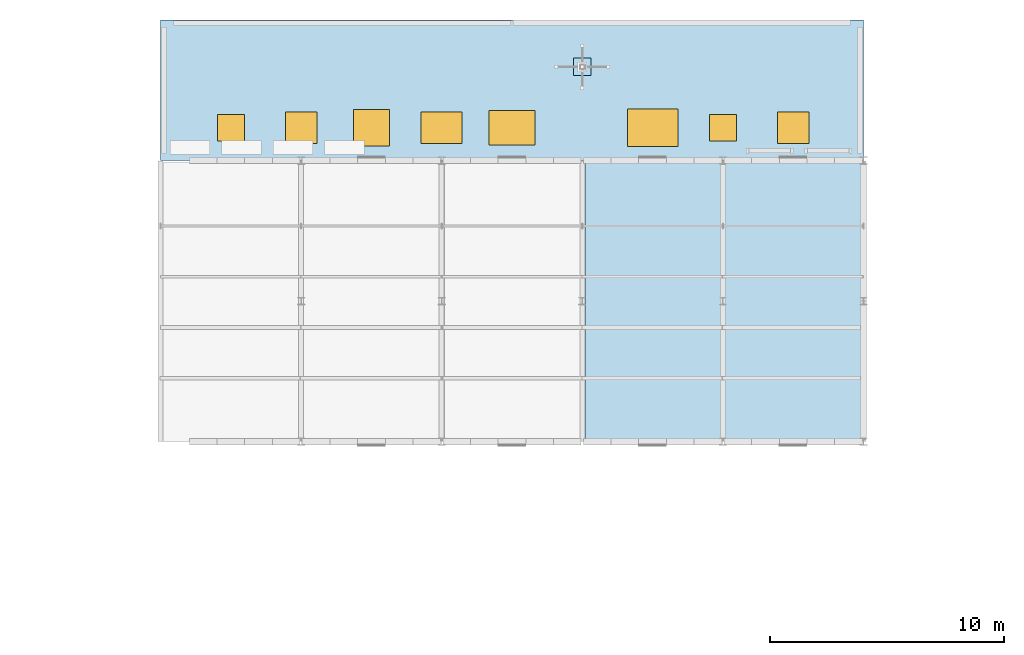
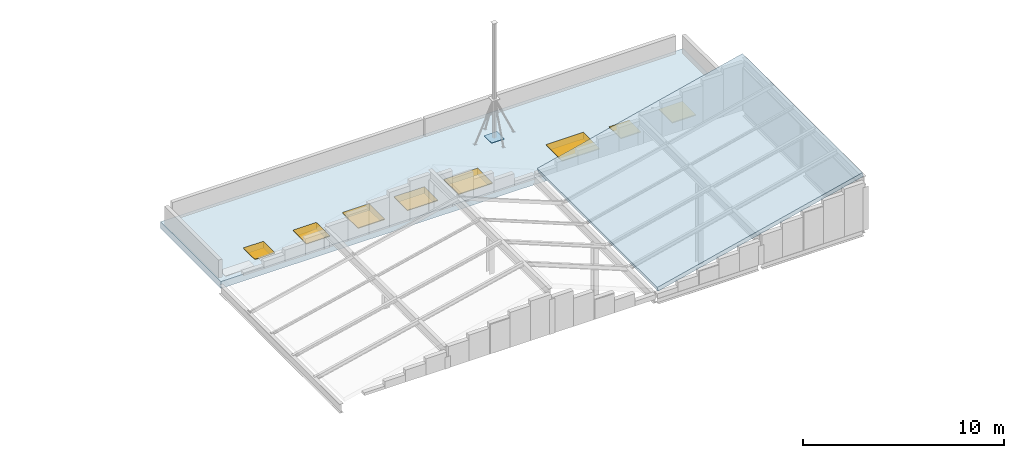
"""IFC4 building model written with IfcOpenShell, lengths in metres."""

from ifc_helpers import new_model, si_unit, direction, frame, origin, origin_2d, place, context, subcontext, project, spatial, polyline, rectangle, outline, extrude, material, layer, layer_set, type_object, element, fill, save


model = new_model("IFC4")

# Units and contexts
model_context = context("Model", 3, precision=1e-05, world=origin(), true_north=direction((0.0, 1.0)))
body_context = subcontext(model_context, "Body", "Model", "MODEL_VIEW")
ifc_project = project(units=[si_unit("LENGTHUNIT", "METRE"), si_unit("AREAUNIT", "SQUARE_METRE"), si_unit("VOLUMEUNIT", "CUBIC_METRE"), si_unit("PLANEANGLEUNIT", "RADIAN"), si_unit("MASSUNIT", "GRAM", prefix="KILO")], contexts=[model_context])

# Site, building, storey
site_placement = place(None, origin())
site = spatial("IfcSite", under=ifc_project, at=site_placement, CompositionType="ELEMENT")
building_placement = place(site_placement, origin())
building = spatial("IfcBuilding", under=site, at=building_placement, Name="Siltcreek Boulevard Central Fire Station", CompositionType="ELEMENT")
storey_1_placement = place(building_placement, frame((0.0, 0.0, 25.199951171875)))
storey_1 = spatial("IfcBuildingStorey", under=building, at=storey_1_placement, Name="RF", CompositionType="ELEMENT", Elevation=25.199951171875)

# Plate
ifc_material_1 = material(Name="Structural steel ASTM A572 Gr50", Category="steel")
ifc_layer_1 = layer(ifc_material_1, 0.0400390625, Name="Structural steel ASTM A572 Gr50")
ifc_layer_set_1 = layer_set([ifc_layer_1], Name="Structural steel ASTM A572 Gr50")
plate_type = type_object("IfcPlateType", Name="PL_GUS40", PredefinedType="USERDEFINED", material=ifc_layer_set_1)
plate_placement = place(storey_1_placement, frame((142.199951171875, 110.199951171875, -3.599853515625), z_axis=(0.0, 0.0, 1.0), x_axis=(1.0, 0.0, 0.0)))
element("IfcPlate", 1, at=plate_placement, inside=storey_1, type_object=plate_type, Name="Roof communications mast MB1 base plate", ObjectType="GUSSET PLATE", PredefinedType="USERDEFINED", context=body_context, shape_type="SweptSolid", body=[
    extrude(rectangle(XDim=0.75, YDim=0.75, at=origin_2d()), origin(), (0.0, 0.0, 1.0), 0.0400390625),
])

# Slab
ifc_material_2 = material(Name="White ribbed aluminum insulated roof deck Steel A653 Gr50", Category="steel")
ifc_layer_2 = layer(ifc_material_2, 0.25, Name="White ribbed aluminum insulated roof deck Steel A653 Gr50")
ifc_layer_set_2 = layer_set([ifc_layer_2], Name="White ribbed aluminum insulated roof deck Steel A653 Gr50")
slab_type_1 = type_object("IfcSlabType", Name="SL_ROOF250", PredefinedType="ROOF", material=ifc_layer_set_2)
slab_1_placement = place(storey_1_placement, frame((142.31005859375, 94.199951171875, -3.0234375), z_axis=(-0.234910965128, 0.0, 0.972016892067), x_axis=(0.972016892067, 0.0, 0.234910965128)))
element("IfcSlab", 2, at=slab_1_placement, inside=storey_1, type_object=slab_type_1, Name="Pitched standing-seam roof deck slab RF-V5E", PredefinedType="ROOF", context=body_context, shape_type="SweptSolid", body=[
    extrude(outline(polyline([(0.0, 0.0), (12.119161089711582, 0.0), (12.119161089711582, 11.920166015625002), (0.0, 11.920166015625002), (0.0, 0.0)])), origin(), (0.0, 0.0, -1.0), 0.25),
])

# Slab, openings
ifc_material_3 = material(Name="Concrete C35/45", Category="concrete")
ifc_layer_3 = layer(ifc_material_3, 0.419921875, Name="Concrete C35/45")
ifc_layer_set_3 = layer_set([ifc_layer_3], Name="Concrete C35/45")
slab_type_2 = type_object("IfcSlabType", Name="SL_ROOF420", PredefinedType="ROOF", material=ifc_layer_set_3)
slab_2_placement = place(storey_1_placement, frame((0.0, 0.0, -4.02001953125)))
slab_2 = element("IfcSlab", 3, at=slab_2_placement, inside=storey_1, type_object=slab_type_2, Name="Headquarters roof overrun curb slab RF-CB3", PredefinedType="ROOF", context=body_context, shape_type="SweptSolid", body=[
    extrude(outline(polyline([(124.199951171875, 106.199951171875), (154.199951171875, 106.199951171875), (154.199951171875, 112.199951171875), (124.199951171875, 112.199951171875), (124.199951171875, 106.199951171875)])), origin(), (0.0, 0.0, 1.0), 0.420166015625),
])
opening_1_placement = place(slab_2_placement, frame((127.199951171875, 107.60009765625, -0.010009765625)))
opening_1 = element("IfcOpeningElement", 4, at=opening_1_placement, cuts=slab_2, Name="Opening SK-01", PredefinedType="OPENING", context=body_context, shape_type="SweptSolid", body=[
    extrude(rectangle(XDim=1.14990234375, YDim=1.14990234375, at=origin_2d()), origin(), (0.0, 0.0, 1.0), 0.440185546875),
])
opening_2_placement = place(slab_2_placement, frame((130.199951171875, 107.60009765625, -0.010009765625)))
opening_2 = element("IfcOpeningElement", 5, at=opening_2_placement, cuts=slab_2, Name="Opening SK-02", PredefinedType="OPENING", context=body_context, shape_type="SweptSolid", body=[
    extrude(rectangle(XDim=1.35009765625, YDim=1.35009765625, at=origin_2d()), origin(), (0.0, 0.0, 1.0), 0.440185546875),
])
opening_3_placement = place(slab_2_placement, frame((133.199951171875, 107.60009765625, -0.010009765625)))
opening_3 = element("IfcOpeningElement", 6, at=opening_3_placement, cuts=slab_2, Name="Opening SK-03", PredefinedType="OPENING", context=body_context, shape_type="SweptSolid", body=[
    extrude(rectangle(XDim=1.550048828125, YDim=1.550048828125, at=origin_2d()), origin(), (0.0, 0.0, 1.0), 0.440185546875),
])
opening_4_placement = place(slab_2_placement, frame((136.199951171875, 107.60009765625, -0.010009765625)))
opening_4 = element("IfcOpeningElement", 7, at=opening_4_placement, cuts=slab_2, Name="Opening SK-04", PredefinedType="OPENING", context=body_context, shape_type="SweptSolid", body=[
    extrude(rectangle(XDim=1.75, YDim=1.35009765625, at=origin_2d()), origin(), (0.0, 0.0, 1.0), 0.440185546875),
])
opening_5_placement = place(slab_2_placement, frame((139.199951171875, 107.60009765625, -0.010009765625)))
opening_5 = element("IfcOpeningElement", 8, at=opening_5_placement, cuts=slab_2, Name="Opening SK-05", PredefinedType="OPENING", context=body_context, shape_type="SweptSolid", body=[
    extrude(rectangle(XDim=1.949951171875, YDim=1.47998046875, at=origin_2d()), origin(), (0.0, 0.0, 1.0), 0.440185546875),
])
opening_6_placement = place(slab_2_placement, frame((145.199951171875, 107.60009765625, -0.010009765625)))
opening_6 = element("IfcOpeningElement", 9, at=opening_6_placement, cuts=slab_2, Name="Opening SK-06", PredefinedType="OPENING", context=body_context, shape_type="SweptSolid", body=[
    extrude(rectangle(XDim=2.14990234375, YDim=1.6201171875, at=origin_2d()), origin(), (0.0, 0.0, 1.0), 0.440185546875),
])
opening_7_placement = place(slab_2_placement, frame((148.199951171875, 107.60009765625, -0.010009765625)))
opening_7 = element("IfcOpeningElement", 10, at=opening_7_placement, cuts=slab_2, Name="Opening SK-07", PredefinedType="OPENING", context=body_context, shape_type="SweptSolid", body=[
    extrude(rectangle(XDim=1.14990234375, YDim=1.14990234375, at=origin_2d()), origin(), (0.0, 0.0, 1.0), 0.440185546875),
])
opening_8_placement = place(slab_2_placement, frame((151.199951171875, 107.60009765625, -0.010009765625)))
opening_8 = element("IfcOpeningElement", 11, at=opening_8_placement, cuts=slab_2, Name="Opening SK-08", PredefinedType="OPENING", context=body_context, shape_type="SweptSolid", body=[
    extrude(rectangle(XDim=1.35009765625, YDim=1.35009765625, at=origin_2d()), origin(), (0.0, 0.0, 1.0), 0.440185546875),
])

# Storey
storey_2_placement = place(building_placement, frame((0.0, 0.0, 18.0)))
storey_2 = spatial("IfcBuildingStorey", under=building, at=storey_2_placement, Name="L05", CompositionType="ELEMENT", Elevation=18.0)

# Window
ifc_material_4 = material(Name="Thermally broken aluminum frame with low-E insulated glass", Category="aluminium")
window_type_1 = type_object("IfcWindowType", Name="SK_115X115", PartitioningType="SINGLE_PANEL", PredefinedType="SKYLIGHT", material=ifc_material_4)
window_1_placement = place(opening_1_placement, frame((0.0, 0.0, 0.3701171875)))
window_1 = element("IfcWindow", 12, at=window_1_placement, inside=storey_2, type_object=window_type_1, Name="Roof smoke and daylight skylight SK-01", OverallHeight=1.14990234375, OverallWidth=1.14990234375, PartitioningType="SINGLE_PANEL", PredefinedType="SKYLIGHT", context=body_context, shape_type="SweptSolid", body=[
    extrude(rectangle(XDim=1.14990234375, YDim=1.14990234375, at=origin_2d()), origin(), (0.0, 0.0, 1.0), 0.06005859375),
])

fill(opening_1, window_1)

window_2_placement = place(opening_7_placement, frame((0.0, 0.0, 0.3701171875)))
window_2 = element("IfcWindow", 13, at=window_2_placement, inside=storey_2, type_object=window_type_1, Name="Roof smoke and daylight skylight SK-07", OverallHeight=1.14990234375, OverallWidth=1.14990234375, PartitioningType="SINGLE_PANEL", PredefinedType="SKYLIGHT", context=body_context, shape_type="SweptSolid", body=[
    extrude(rectangle(XDim=1.14990234375, YDim=1.14990234375, at=origin_2d()), origin(), (0.0, 0.0, 1.0), 0.06005859375),
])

fill(opening_7, window_2)

window_type_2 = type_object("IfcWindowType", Name="SK_135X135", PartitioningType="SINGLE_PANEL", PredefinedType="SKYLIGHT", material=ifc_material_4)
window_3_placement = place(opening_2_placement, frame((0.0, 0.0, 0.3701171875)))
window_3 = element("IfcWindow", 14, at=window_3_placement, inside=storey_2, type_object=window_type_2, Name="Roof smoke and daylight skylight SK-02", OverallHeight=1.35009765625, OverallWidth=1.35009765625, PartitioningType="SINGLE_PANEL", PredefinedType="SKYLIGHT", context=body_context, shape_type="SweptSolid", body=[
    extrude(rectangle(XDim=1.35009765625, YDim=1.35009765625, at=origin_2d()), origin(), (0.0, 0.0, 1.0), 0.06005859375),
])

fill(opening_2, window_3)

window_4_placement = place(opening_8_placement, frame((0.0, 0.0, 0.3701171875)))
window_4 = element("IfcWindow", 15, at=window_4_placement, inside=storey_2, type_object=window_type_2, Name="Roof smoke and daylight skylight SK-08", OverallHeight=1.35009765625, OverallWidth=1.35009765625, PartitioningType="SINGLE_PANEL", PredefinedType="SKYLIGHT", context=body_context, shape_type="SweptSolid", body=[
    extrude(rectangle(XDim=1.35009765625, YDim=1.35009765625, at=origin_2d()), origin(), (0.0, 0.0, 1.0), 0.06005859375),
])

fill(opening_8, window_4)

window_type_3 = type_object("IfcWindowType", Name="SK_155X155", PartitioningType="SINGLE_PANEL", PredefinedType="SKYLIGHT", material=ifc_material_4)
window_5_placement = place(opening_3_placement, frame((0.0, 0.0, 0.3701171875)))
window_5 = element("IfcWindow", 16, at=window_5_placement, inside=storey_2, type_object=window_type_3, Name="Roof smoke and daylight skylight SK-03", OverallHeight=1.550048828125, OverallWidth=1.550048828125, PartitioningType="SINGLE_PANEL", PredefinedType="SKYLIGHT", context=body_context, shape_type="SweptSolid", body=[
    extrude(rectangle(XDim=1.550048828125, YDim=1.550048828125, at=origin_2d()), origin(), (0.0, 0.0, 1.0), 0.06005859375),
])

fill(opening_3, window_5)

window_type_4 = type_object("IfcWindowType", Name="SK_175X135", PartitioningType="SINGLE_PANEL", PredefinedType="SKYLIGHT", material=ifc_material_4)
window_6_placement = place(opening_4_placement, frame((0.0, 0.0, 0.3701171875)))
window_6 = element("IfcWindow", 17, at=window_6_placement, inside=storey_2, type_object=window_type_4, Name="Roof smoke and daylight skylight SK-04", OverallHeight=1.35009765625, OverallWidth=1.75, PartitioningType="SINGLE_PANEL", PredefinedType="SKYLIGHT", context=body_context, shape_type="SweptSolid", body=[
    extrude(rectangle(XDim=1.75, YDim=1.35009765625, at=origin_2d()), origin(), (0.0, 0.0, 1.0), 0.06005859375),
])

fill(opening_4, window_6)

window_type_5 = type_object("IfcWindowType", Name="SK_195X148", PartitioningType="SINGLE_PANEL", PredefinedType="SKYLIGHT", material=ifc_material_4)
window_7_placement = place(opening_5_placement, frame((0.0, 0.0, 0.3701171875)))
window_7 = element("IfcWindow", 18, at=window_7_placement, inside=storey_2, type_object=window_type_5, Name="Roof smoke and daylight skylight SK-05", OverallHeight=1.47998046875, OverallWidth=1.949951171875, PartitioningType="SINGLE_PANEL", PredefinedType="SKYLIGHT", context=body_context, shape_type="SweptSolid", body=[
    extrude(rectangle(XDim=1.949951171875, YDim=1.47998046875, at=origin_2d()), origin(), (0.0, 0.0, 1.0), 0.06005859375),
])

fill(opening_5, window_7)

window_type_6 = type_object("IfcWindowType", Name="SK_215X162", PartitioningType="SINGLE_PANEL", PredefinedType="SKYLIGHT", material=ifc_material_4)
window_8_placement = place(opening_6_placement, frame((0.0, 0.0, 0.3701171875)))
window_8 = element("IfcWindow", 19, at=window_8_placement, inside=storey_2, type_object=window_type_6, Name="Roof smoke and daylight skylight SK-06", OverallHeight=1.6201171875, OverallWidth=2.14990234375, PartitioningType="SINGLE_PANEL", PredefinedType="SKYLIGHT", context=body_context, shape_type="SweptSolid", body=[
    extrude(rectangle(XDim=2.14990234375, YDim=1.6201171875, at=origin_2d()), origin(), (0.0, 0.0, 1.0), 0.06005859375),
])

fill(opening_6, window_8)

save(model, "model.ifc")
